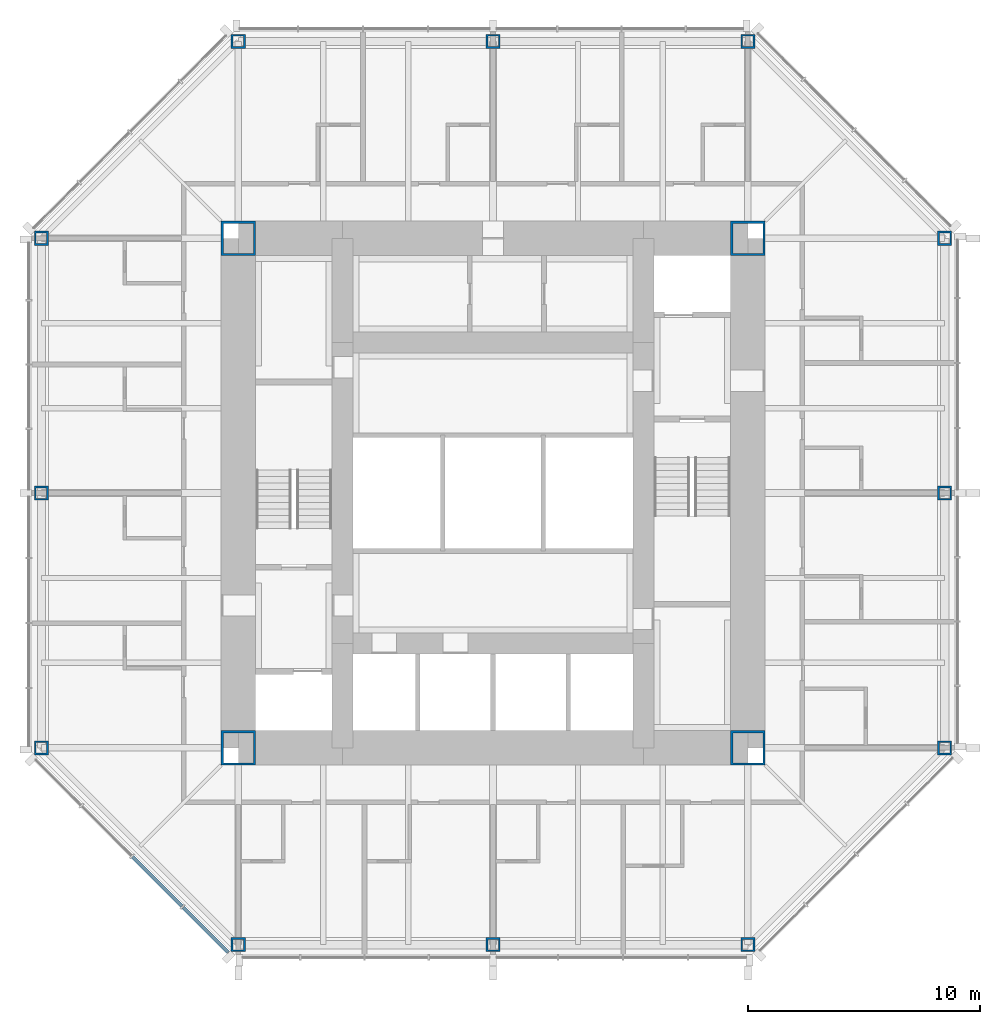
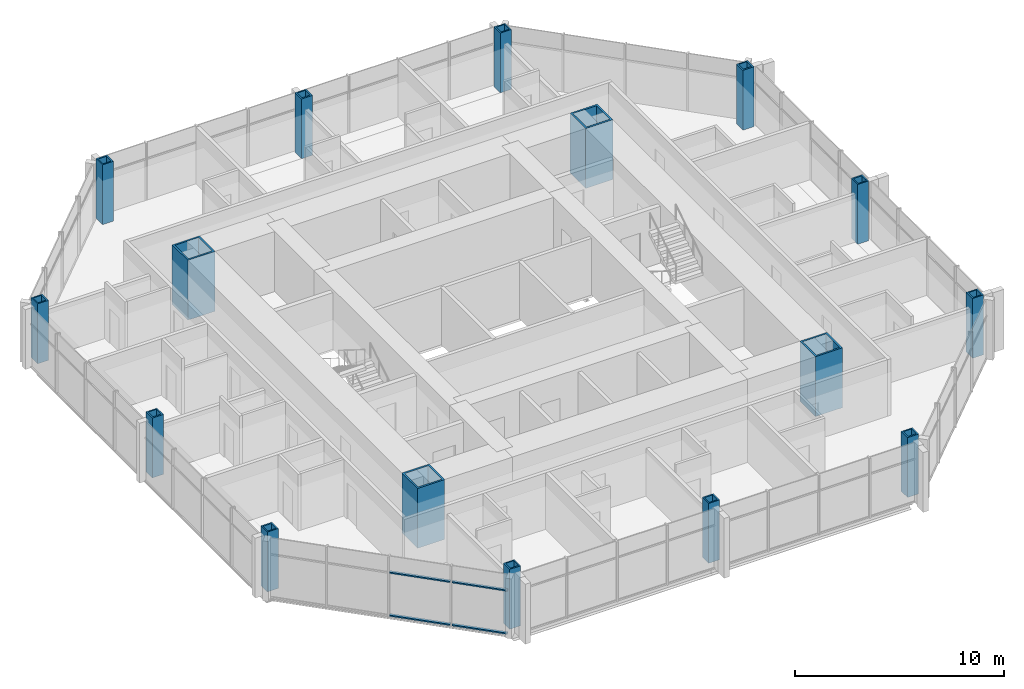
# One storey, part 1 of 12: 16 columns, 4 members, 1 element without a shape of its own.
"""IFC4 building model written with IfcOpenShell, lengths in metres."""

from ifc_helpers import new_model, si_unit, direction, frame, origin, origin_2d, place, context, subcontext, project, spatial, rectangle, hollow_rectangle, extrude, material, material_profile, profile_set, type_object, element, aggregate, save


model = new_model("IFC4")

# Units and contexts
model_context = context("Model", 3, precision=1e-05, world=origin(), true_north=direction((0.0, 1.0)))
body_context = subcontext(model_context, "Body", "Model", "MODEL_VIEW")
ifc_project = project(units=[si_unit("LENGTHUNIT", "METRE"), si_unit("AREAUNIT", "SQUARE_METRE"), si_unit("VOLUMEUNIT", "CUBIC_METRE"), si_unit("PLANEANGLEUNIT", "RADIAN"), si_unit("MASSUNIT", "GRAM", prefix="KILO")], contexts=[model_context])

# Site, building, storey
site_placement = place(None, origin())
site = spatial("IfcSite", under=ifc_project, at=site_placement, CompositionType="ELEMENT")
building_placement = place(site_placement, origin())
building = spatial("IfcBuilding", under=site, at=building_placement, Name="Trevanion Tower", CompositionType="ELEMENT")
storey_placement = place(building_placement, frame((0.0, 0.0, 190.699951171875)))
storey = spatial("IfcBuildingStorey", under=building, at=storey_placement, Name="L44", CompositionType="ELEMENT", Elevation=190.699951171875)

# Columns
ifc_material_1 = material(Name="Steel ASTM A572 Grade 50", Category="steel")
ifc_material_profile_1 = material_profile(ifc_material_1, hollow_rectangle(XDim=0.609619140625, YDim=0.609619140625, WallThickness=0.076171875, at=origin_2d()), Name="BOX24X24X3")
ifc_profile_set_1 = profile_set([ifc_material_profile_1], Name="Steel ASTM A572 Grade 50")
column_type_1 = type_object("IfcColumnType", Name="C5 BOX24X24X3", PredefinedType="COLUMN", material=ifc_profile_set_1)
for number, where, z_axis, x_axis, name in (
    (1, (-19.5, 0.0, 0.0), (0.0, 0.0, 1.0), (0.0, 1.0, 0.0), "C5 5/H L44"),
    (2, (-19.5, -11.0, 0.0), (0.0, 0.0, 1.0), (0.0, 1.0, 0.0), "C5 5/F L44"),
    (3, (-11.0, -19.5, 0.0), (0.0, 0.0, 1.0), (1.0, 0.0, 0.0), "C5 8/C L44"),
    (4, (0.0, -19.5, 0.0), (0.0, 0.0, 1.0), (1.0, 0.0, 0.0), "C5 10/C L44"),
    (5, (11.0, -19.5, 0.0), (0.0, 0.0, 1.0), (1.0, 0.0, 0.0), "C5 12/C L44"),
    (6, (19.5, -11.0, 0.0), (0.0, 0.0, 1.0), (0.0, 1.0, 0.0), "C5 15/F L44"),
    (7, (19.5, 0.0, 0.0), (0.0, 0.0, 1.0), (0.0, 1.0, 0.0), "C5 15/H L44"),
    (8, (19.5, 11.0, 0.0), (0.0, 0.0, 1.0), (0.0, 1.0, 0.0), "C5 15/K L44"),
    (9, (11.0, 19.5, 0.0), (0.0, 0.0, 1.0), (1.0, 0.0, 0.0), "C5 12/N L44"),
    (10, (0.0, 19.5, 0.0), (0.0, 0.0, 1.0), (1.0, 0.0, 0.0), "C5 10/N L44"),
    (11, (-11.0, 19.5, 0.0), (0.0, 0.0, 1.0), (1.0, 0.0, 0.0), "C5 8/N L44"),
    (12, (-19.5, 11.0, 0.0), (0.0, 0.0, 1.0), (0.0, 1.0, 0.0), "C5 5/K L44"),
):
    element("IfcColumn", number, at=place(storey_placement, frame(where, z_axis=z_axis, x_axis=x_axis)), inside=storey, type_object=column_type_1, Name=name, PredefinedType="COLUMN", context=body_context, shape_type="SweptSolid", body=[
        extrude(hollow_rectangle(XDim=0.609619140625, YDim=0.609619140625, WallThickness=0.076171875, at=origin_2d()), origin(), (0.0, 0.0, 1.0), 3.5),
    ])
ifc_material_2 = material(Name="Steel ASTM A572 Grade 50", Category="steel")
ifc_material_profile_2 = material_profile(ifc_material_2, hollow_rectangle(XDim=1.49853515625, YDim=1.49853515625, WallThickness=0.1015625, at=origin_2d()), Name="BOX59X59X4")
ifc_profile_set_2 = profile_set([ifc_material_profile_2], Name="Steel ASTM A572 Grade 50")
column_type_2 = type_object("IfcColumnType", Name="CB1 BOX59X59X4", PredefinedType="COLUMN", material=ifc_profile_set_2)
for number, where, z_axis, x_axis, name in (
    (13, (11.0, 11.0, 0.0), (0.0, 0.0, 1.0), (1.0, 0.0, 0.0), "CB1 NE L44"),
    (14, (-11.0, 11.0, 0.0), (0.0, 0.0, 1.0), (1.0, 0.0, 0.0), "CB1 NW L44"),
    (15, (-11.0, -11.0, 0.0), (0.0, 0.0, 1.0), (1.0, 0.0, 0.0), "CB1 SW L44"),
    (16, (11.0, -11.0, 0.0), (0.0, 0.0, 1.0), (1.0, 0.0, 0.0), "CB1 SE L44"),
):
    element("IfcColumn", number, at=place(storey_placement, frame(where, z_axis=z_axis, x_axis=x_axis)), inside=storey, type_object=column_type_2, Name=name, PredefinedType="COLUMN", context=body_context, shape_type="SweptSolid", body=[
        extrude(hollow_rectangle(XDim=1.49853515625, YDim=1.49853515625, WallThickness=0.1015625, at=origin_2d()), origin(), (0.0, 0.0, 1.0), 3.5),
    ])

# Curtain wall, members
ifc_material_3 = material(Name="Aluminium and glass", Category="aluminium")
curtain_wall_type = type_object("IfcCurtainWallType", Name="CW3 curtain wall", PredefinedType="USERDEFINED", material=ifc_material_3)
curtain_wall_placement = place(storey_placement, origin())
curtain_wall = element("IfcCurtainWall", 17, at=curtain_wall_placement, inside=storey, type_object=curtain_wall_type, Name="CW3 L44 5", ObjectType="UNITISED CURTAIN WALL", PredefinedType="USERDEFINED")
ifc_material_4 = material(Name="Aluminium extrusion, anodised bronze", Category="aluminium")
ifc_material_profile_3 = material_profile(ifc_material_4, rectangle(XDim=0.14990234375, YDim=0.074951171875, at=origin_2d()), Name="CW3 transom")
ifc_profile_set_3 = profile_set([ifc_material_profile_3], Name="Aluminium extrusion, anodised bronze")
member_type = type_object("IfcMemberType", Name="CW3 transom", PredefinedType="USERDEFINED", material=ifc_profile_set_3)
member_1_placement = place(storey_placement, frame((-15.56640625, -15.71142578125, -0.15234375), z_axis=(0.707106781187, -0.707106781187, 0.0), x_axis=(0.707106781187, 0.707106781187, 0.0)))
member_1 = element("IfcMember", 18, at=member_1_placement, type_object=member_type, Name="CW3 transom 3.1", ObjectType="TRANSOM", PredefinedType="USERDEFINED", context=body_context, shape_type="SweptSolid", body=[
    extrude(rectangle(XDim=0.14990234375, YDim=0.074951171875, at=origin_2d()), origin(), (0.0, 0.0, 1.0), 3.011474609375),
])
member_2_placement = place(storey_placement, frame((-15.56640625, -15.71142578125, 2.360107421875), z_axis=(0.707106781187, -0.707106781187, 0.0), x_axis=(0.707106781187, 0.707106781187, 0.0)))
member_2 = element("IfcMember", 19, at=member_2_placement, type_object=member_type, Name="CW3 transom 3.2", ObjectType="TRANSOM", PredefinedType="USERDEFINED", context=body_context, shape_type="SweptSolid", body=[
    extrude(rectangle(XDim=0.14990234375, YDim=0.074951171875, at=origin_2d()), origin(), (0.0, 0.0, 1.0), 3.011474609375),
])
member_3_placement = place(storey_placement, frame((-13.3837890625, -17.89404296875, -0.15234375), z_axis=(0.707106781187, -0.707106781187, 0.0), x_axis=(0.707106781187, 0.707106781187, 0.0)))
member_3 = element("IfcMember", 20, at=member_3_placement, type_object=member_type, Name="CW3 transom 4.1", ObjectType="TRANSOM", PredefinedType="USERDEFINED", context=body_context, shape_type="SweptSolid", body=[
    extrude(rectangle(XDim=0.14990234375, YDim=0.074951171875, at=origin_2d()), origin(), (0.0, 0.0, 1.0), 2.7490234375),
])
member_4_placement = place(storey_placement, frame((-13.3837890625, -17.89404296875, 2.360107421875), z_axis=(0.707106781187, -0.707106781187, 0.0), x_axis=(0.707106781187, 0.707106781187, 0.0)))
member_4 = element("IfcMember", 21, at=member_4_placement, type_object=member_type, Name="CW3 transom 4.2", ObjectType="TRANSOM", PredefinedType="USERDEFINED", context=body_context, shape_type="SweptSolid", body=[
    extrude(rectangle(XDim=0.14990234375, YDim=0.074951171875, at=origin_2d()), origin(), (0.0, 0.0, 1.0), 2.7490234375),
])
aggregate(curtain_wall, [member_1, member_2, member_3, member_4])

save(model, "model.ifc")
